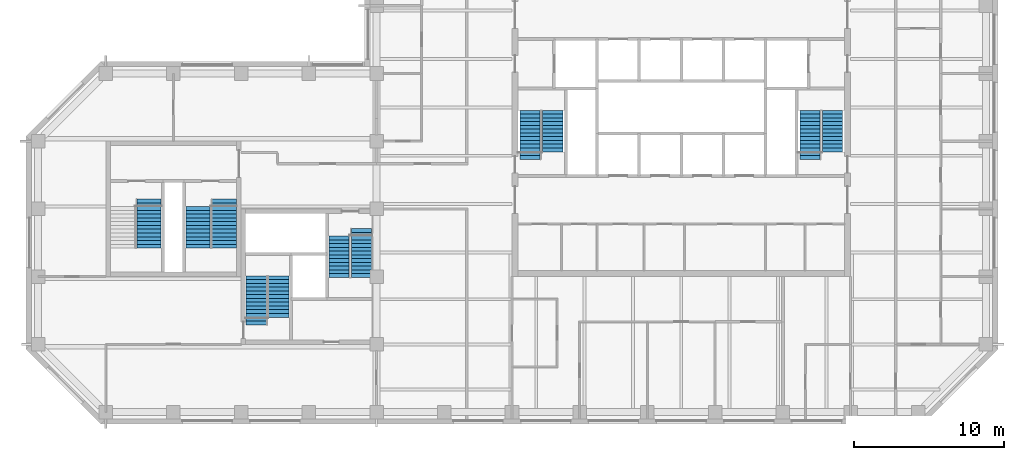
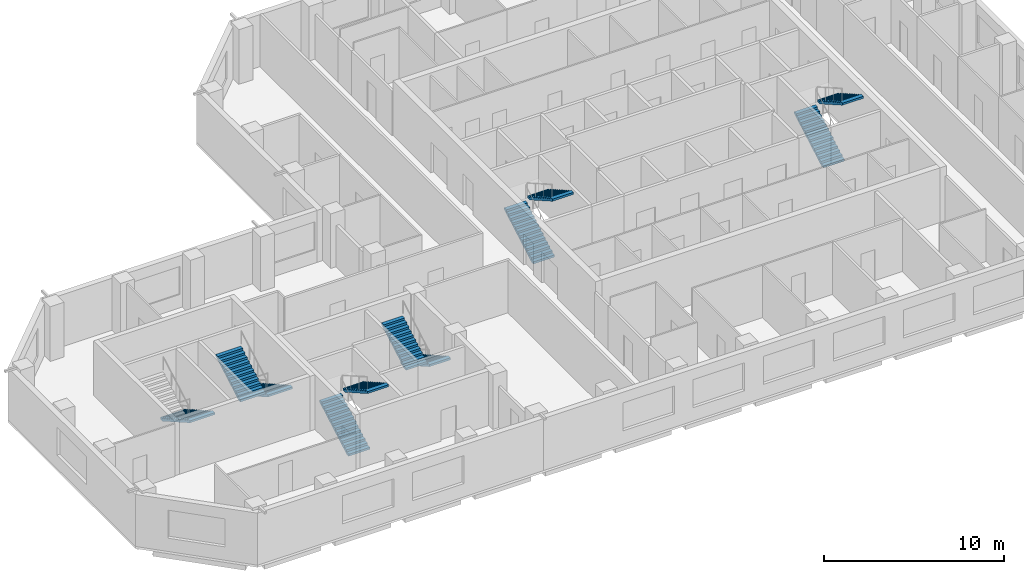
# One storey, part 9 of 10: 11 stair flights, 6 elements without a shape of their own.
"""IFC4 building model written with IfcOpenShell, lengths in metres."""

from ifc_helpers import new_model, si_unit, direction, frame, origin, place, context, subcontext, project, spatial, polyline, outline, extrude, material, type_object, element, aggregate, save


model = new_model("IFC4")

# Units and contexts
model_context = context("Model", 3, precision=1e-05, world=origin(), true_north=direction((0.0, 1.0)))
body_context = subcontext(model_context, "Body", "Model", "MODEL_VIEW")
ifc_project = project(units=[si_unit("LENGTHUNIT", "METRE"), si_unit("AREAUNIT", "SQUARE_METRE"), si_unit("VOLUMEUNIT", "CUBIC_METRE"), si_unit("PLANEANGLEUNIT", "RADIAN"), si_unit("MASSUNIT", "GRAM", prefix="KILO")], contexts=[model_context])

# Site, building, storey
site_placement = place(None, origin())
site = spatial("IfcSite", under=ifc_project, at=site_placement, CompositionType="ELEMENT")
building_placement = place(site_placement, origin())
building = spatial("IfcBuilding", under=site, at=building_placement, Name="Quoin Convention Tower", CompositionType="ELEMENT")
storey_placement = place(building_placement, frame((0.0, 0.0, 184.699951171875)))
storey = spatial("IfcBuildingStorey", under=building, at=storey_placement, Name="L48", CompositionType="ELEMENT", Elevation=184.699951171875)

# Stair, stair flights
ifc_material = material(Name="Concrete C40", Category="concrete")
stair_type_1 = type_object("IfcStairType", Name="Exit stair two-flight 1350", PredefinedType="HALF_TURN_STAIR", material=ifc_material)
stair_1_placement = place(storey_placement, origin())
stair_1 = element("IfcStair", 1, at=stair_1_placement, inside=storey, type_object=stair_type_1, Name="SD1 L48", PredefinedType="HALF_TURN_STAIR")
stair_flight_type_1 = type_object("IfcStairFlightType", Name="Stair flight 1350", PredefinedType="STRAIGHT", material=ifc_material)
stair_flight_1_placement = place(storey_placement, frame((46.199951171875, 57.300048828125, 0.0), z_axis=(0.0, 0.0, 1.0), x_axis=(0.0, 1.0, 0.0)))
stair_flight_1 = element("IfcStairFlight", 2, at=stair_flight_1_placement, type_object=stair_flight_type_1, Name="ST1 flight 1", NumberOfRisers=14, NumberOfTreads=13, PredefinedType="STRAIGHT", RiserHeight=0.142307692, TreadLength=0.25, context=body_context, shape_type="SweptSolid", body=[
    extrude(outline(polyline([(0.0, 0.0), (0.0, 0.142333984375), (0.25, 0.142333984375), (0.25, 0.28466796875), (0.5, 0.28466796875), (0.5, 0.427001953125), (0.75, 0.427001953125), (0.75, 0.5693359375), (1.0, 0.5693359375), (1.0, 0.71142578125), (1.25, 0.71142578125), (1.25, 0.853759765625), (1.5, 0.853759765625), (1.5, 0.99609375), (1.75, 0.99609375), (1.75, 1.138427734375), (2.0, 1.138427734375), (2.0, 1.28076171875), (2.25, 1.28076171875), (2.25, 1.423095703125), (2.5, 1.423095703125), (2.5, 1.5654296875), (2.75, 1.5654296875), (2.75, 1.707763671875), (3.0, 1.707763671875), (3.0, 1.85009765625), (3.25, 1.85009765625), (3.25, 1.9921875), (3.25, 1.711669921875), (0.242919921875, 0.0), (0.0, 0.0)])), frame((0.0, 0.675048828125, 0.0), z_axis=(0.0, -1.0, 0.0), x_axis=(1.0, 0.0, 0.0)), (0.0, 0.0, 1.0), 1.35009765625),
])
stair_flight_2_placement = place(storey_placement, frame((47.699951171875, 60.550048828125, 1.992431640625), z_axis=(0.0, 0.0, 1.0), x_axis=(0.0, -1.0, 0.0)))
stair_flight_2 = element("IfcStairFlight", 3, at=stair_flight_2_placement, type_object=stair_flight_type_1, Name="ST1 flight 2", NumberOfRisers=12, NumberOfTreads=11, PredefinedType="STRAIGHT", RiserHeight=0.142307692, TreadLength=0.25, context=body_context, shape_type="SweptSolid", body=[
    extrude(outline(polyline([(0.0, 0.0), (0.0, 0.142333984375), (0.25, 0.142333984375), (0.25, 0.28466796875), (0.5, 0.28466796875), (0.5, 0.427001953125), (0.75, 0.427001953125), (0.75, 0.5693359375), (1.0, 0.5693359375), (1.0, 0.71142578125), (1.25, 0.71142578125), (1.25, 0.853759765625), (1.5, 0.853759765625), (1.5, 0.99609375), (1.75, 0.99609375), (1.75, 1.138427734375), (2.0, 1.138427734375), (2.0, 1.28076171875), (2.25, 1.28076171875), (2.25, 1.423095703125), (2.5, 1.423095703125), (2.5, 1.5654296875), (2.75, 1.5654296875), (2.75, 1.707763671875), (2.75, 1.42724609375), (0.242919921875, 0.0), (0.0, 0.0)])), frame((0.0, 0.675048828125, 0.0), z_axis=(0.0, -1.0, 0.0), x_axis=(1.0, 0.0, 0.0)), (0.0, 0.0, 1.0), 1.35009765625),
])
aggregate(stair_1, [stair_flight_1, stair_flight_2])

stair_2_placement = place(storey_placement, origin())
stair_2 = element("IfcStair", 4, at=stair_2_placement, inside=storey, type_object=stair_type_1, Name="SD2 L48", PredefinedType="HALF_TURN_STAIR")
stair_flight_3_placement = place(storey_placement, frame((64.800048828125, 57.300048828125, 0.0), z_axis=(0.0, 0.0, 1.0), x_axis=(0.0, 1.0, 0.0)))
stair_flight_3 = element("IfcStairFlight", 5, at=stair_flight_3_placement, type_object=stair_flight_type_1, Name="ST2 flight 1", NumberOfRisers=14, NumberOfTreads=13, PredefinedType="STRAIGHT", RiserHeight=0.142307692, TreadLength=0.25, context=body_context, shape_type="SweptSolid", body=[
    extrude(outline(polyline([(0.0, 0.0), (0.0, 0.142333984375), (0.25, 0.142333984375), (0.25, 0.28466796875), (0.5, 0.28466796875), (0.5, 0.427001953125), (0.75, 0.427001953125), (0.75, 0.5693359375), (1.0, 0.5693359375), (1.0, 0.71142578125), (1.25, 0.71142578125), (1.25, 0.853759765625), (1.5, 0.853759765625), (1.5, 0.99609375), (1.75, 0.99609375), (1.75, 1.138427734375), (2.0, 1.138427734375), (2.0, 1.28076171875), (2.25, 1.28076171875), (2.25, 1.423095703125), (2.5, 1.423095703125), (2.5, 1.5654296875), (2.75, 1.5654296875), (2.75, 1.707763671875), (3.0, 1.707763671875), (3.0, 1.85009765625), (3.25, 1.85009765625), (3.25, 1.9921875), (3.25, 1.711669921875), (0.242919921875, 0.0), (0.0, 0.0)])), frame((0.0, 0.675048828125, 0.0), z_axis=(0.0, -1.0, 0.0), x_axis=(1.0, 0.0, 0.0)), (0.0, 0.0, 1.0), 1.35009765625),
])
stair_flight_4_placement = place(storey_placement, frame((66.300048828125, 60.550048828125, 1.992431640625), z_axis=(0.0, 0.0, 1.0), x_axis=(0.0, -1.0, 0.0)))
stair_flight_4 = element("IfcStairFlight", 6, at=stair_flight_4_placement, type_object=stair_flight_type_1, Name="ST2 flight 2", NumberOfRisers=12, NumberOfTreads=11, PredefinedType="STRAIGHT", RiserHeight=0.142307692, TreadLength=0.25, context=body_context, shape_type="SweptSolid", body=[
    extrude(outline(polyline([(0.0, 0.0), (0.0, 0.142333984375), (0.25, 0.142333984375), (0.25, 0.28466796875), (0.5, 0.28466796875), (0.5, 0.427001953125), (0.75, 0.427001953125), (0.75, 0.5693359375), (1.0, 0.5693359375), (1.0, 0.71142578125), (1.25, 0.71142578125), (1.25, 0.853759765625), (1.5, 0.853759765625), (1.5, 0.99609375), (1.75, 0.99609375), (1.75, 1.138427734375), (2.0, 1.138427734375), (2.0, 1.28076171875), (2.25, 1.28076171875), (2.25, 1.423095703125), (2.5, 1.423095703125), (2.5, 1.5654296875), (2.75, 1.5654296875), (2.75, 1.707763671875), (2.75, 1.42724609375), (0.242919921875, 0.0), (0.0, 0.0)])), frame((0.0, 0.675048828125, 0.0), z_axis=(0.0, -1.0, 0.0), x_axis=(1.0, 0.0, 0.0)), (0.0, 0.0, 1.0), 1.35009765625),
])
aggregate(stair_2, [stair_flight_3, stair_flight_4])

stair_3_placement = place(storey_placement, origin())
stair_3 = element("IfcStair", 7, at=stair_3_placement, inside=storey, type_object=stair_type_1, Name="SD3 L48", PredefinedType="HALF_TURN_STAIR")
stair_flight_5_placement = place(storey_placement, frame((28.0, 46.300048828125, 0.0), z_axis=(0.0, 0.0, 1.0), x_axis=(0.0, 1.0, 0.0)))
stair_flight_5 = element("IfcStairFlight", 8, at=stair_flight_5_placement, type_object=stair_flight_type_1, Name="ST3 flight 1", NumberOfRisers=14, NumberOfTreads=13, PredefinedType="STRAIGHT", RiserHeight=0.142307692, TreadLength=0.25, context=body_context, shape_type="SweptSolid", body=[
    extrude(outline(polyline([(0.0, 0.0), (0.0, 0.142333984375), (0.25, 0.142333984375), (0.25, 0.28466796875), (0.5, 0.28466796875), (0.5, 0.427001953125), (0.75, 0.427001953125), (0.75, 0.5693359375), (1.0, 0.5693359375), (1.0, 0.71142578125), (1.25, 0.71142578125), (1.25, 0.853759765625), (1.5, 0.853759765625), (1.5, 0.99609375), (1.75, 0.99609375), (1.75, 1.138427734375), (2.0, 1.138427734375), (2.0, 1.28076171875), (2.25, 1.28076171875), (2.25, 1.423095703125), (2.5, 1.423095703125), (2.5, 1.5654296875), (2.75, 1.5654296875), (2.75, 1.707763671875), (3.0, 1.707763671875), (3.0, 1.85009765625), (3.25, 1.85009765625), (3.25, 1.9921875), (3.25, 1.711669921875), (0.242919921875, 0.0), (0.0, 0.0)])), frame((0.0, 0.675048828125, 0.0), z_axis=(0.0, -1.0, 0.0), x_axis=(1.0, 0.0, 0.0)), (0.0, 0.0, 1.0), 1.35009765625),
])
stair_flight_6_placement = place(storey_placement, frame((29.5, 49.550048828125, 1.992431640625), z_axis=(0.0, 0.0, 1.0), x_axis=(0.0, -1.0, 0.0)))
stair_flight_6 = element("IfcStairFlight", 9, at=stair_flight_6_placement, type_object=stair_flight_type_1, Name="ST3 flight 2", NumberOfRisers=12, NumberOfTreads=11, PredefinedType="STRAIGHT", RiserHeight=0.142307692, TreadLength=0.25, context=body_context, shape_type="SweptSolid", body=[
    extrude(outline(polyline([(0.0, 0.0), (0.0, 0.142333984375), (0.25, 0.142333984375), (0.25, 0.28466796875), (0.5, 0.28466796875), (0.5, 0.427001953125), (0.75, 0.427001953125), (0.75, 0.5693359375), (1.0, 0.5693359375), (1.0, 0.71142578125), (1.25, 0.71142578125), (1.25, 0.853759765625), (1.5, 0.853759765625), (1.5, 0.99609375), (1.75, 0.99609375), (1.75, 1.138427734375), (2.0, 1.138427734375), (2.0, 1.28076171875), (2.25, 1.28076171875), (2.25, 1.423095703125), (2.5, 1.423095703125), (2.5, 1.5654296875), (2.75, 1.5654296875), (2.75, 1.707763671875), (2.75, 1.42724609375), (0.242919921875, 0.0), (0.0, 0.0)])), frame((0.0, 0.675048828125, 0.0), z_axis=(0.0, -1.0, 0.0), x_axis=(1.0, 0.0, 0.0)), (0.0, 0.0, 1.0), 1.35009765625),
])
aggregate(stair_3, [stair_flight_5, stair_flight_6])

stair_4_placement = place(storey_placement, origin())
stair_4 = element("IfcStair", 10, at=stair_4_placement, inside=storey, type_object=stair_type_1, Name="SD4 L48", PredefinedType="HALF_TURN_STAIR")
stair_flight_7_placement = place(storey_placement, frame((35.0, 52.699951171875, 0.0), z_axis=(0.0, 0.0, 1.0), x_axis=(0.0, -1.0, 0.0)))
stair_flight_7 = element("IfcStairFlight", 11, at=stair_flight_7_placement, type_object=stair_flight_type_1, Name="ST4 flight 1", NumberOfRisers=14, NumberOfTreads=13, PredefinedType="STRAIGHT", RiserHeight=0.142307692, TreadLength=0.25, context=body_context, shape_type="SweptSolid", body=[
    extrude(outline(polyline([(0.0, 0.0), (0.0, 0.142333984375), (0.25, 0.142333984375), (0.25, 0.28466796875), (0.5, 0.28466796875), (0.5, 0.427001953125), (0.75, 0.427001953125), (0.75, 0.5693359375), (1.0, 0.5693359375), (1.0, 0.71142578125), (1.25, 0.71142578125), (1.25, 0.853759765625), (1.5, 0.853759765625), (1.5, 0.99609375), (1.75, 0.99609375), (1.75, 1.138427734375), (2.0, 1.138427734375), (2.0, 1.28076171875), (2.25, 1.28076171875), (2.25, 1.423095703125), (2.5, 1.423095703125), (2.5, 1.5654296875), (2.75, 1.5654296875), (2.75, 1.707763671875), (3.0, 1.707763671875), (3.0, 1.85009765625), (3.25, 1.85009765625), (3.25, 1.9921875), (3.25, 1.711669921875), (0.242919921875, 0.0), (0.0, 0.0)])), frame((0.0, 0.675048828125, 0.0), z_axis=(0.0, -1.0, 0.0), x_axis=(1.0, 0.0, 0.0)), (0.0, 0.0, 1.0), 1.35009765625),
])
stair_flight_8_placement = place(storey_placement, frame((33.5, 49.449951171875, 1.992431640625), z_axis=(0.0, 0.0, 1.0), x_axis=(0.0, 1.0, 0.0)))
stair_flight_8 = element("IfcStairFlight", 12, at=stair_flight_8_placement, type_object=stair_flight_type_1, Name="ST4 flight 2", NumberOfRisers=12, NumberOfTreads=11, PredefinedType="STRAIGHT", RiserHeight=0.142307692, TreadLength=0.25, context=body_context, shape_type="SweptSolid", body=[
    extrude(outline(polyline([(0.0, 0.0), (0.0, 0.142333984375), (0.25, 0.142333984375), (0.25, 0.28466796875), (0.5, 0.28466796875), (0.5, 0.427001953125), (0.75, 0.427001953125), (0.75, 0.5693359375), (1.0, 0.5693359375), (1.0, 0.71142578125), (1.25, 0.71142578125), (1.25, 0.853759765625), (1.5, 0.853759765625), (1.5, 0.99609375), (1.75, 0.99609375), (1.75, 1.138427734375), (2.0, 1.138427734375), (2.0, 1.28076171875), (2.25, 1.28076171875), (2.25, 1.423095703125), (2.5, 1.423095703125), (2.5, 1.5654296875), (2.75, 1.5654296875), (2.75, 1.707763671875), (2.75, 1.42724609375), (0.242919921875, 0.0), (0.0, 0.0)])), frame((0.0, 0.675048828125, 0.0), z_axis=(0.0, -1.0, 0.0), x_axis=(1.0, 0.0, 0.0)), (0.0, 0.0, 1.0), 1.35009765625),
])
aggregate(stair_4, [stair_flight_7, stair_flight_8])

# Stair, stair flight
stair_type_2 = type_object("IfcStairType", Name="Exit stair two-flight 1600", PredefinedType="HALF_TURN_STAIR", material=ifc_material)
stair_5_placement = place(storey_placement, origin())
stair_5 = element("IfcStair", 13, at=stair_5_placement, inside=storey, type_object=stair_type_2, Name="SD11 L48", PredefinedType="HALF_TURN_STAIR")
stair_flight_type_2 = type_object("IfcStairFlightType", Name="Stair flight 1600", PredefinedType="STRAIGHT", material=ifc_material)
stair_flight_9_placement = place(storey_placement, frame((20.875, 54.64990234375, 0.0), z_axis=(0.0, 0.0, 1.0), x_axis=(0.0, -1.0, 0.0)))
stair_flight_9 = element("IfcStairFlight", 14, at=stair_flight_9_placement, type_object=stair_flight_type_2, Name="ST11 flight 1", NumberOfRisers=14, NumberOfTreads=13, PredefinedType="STRAIGHT", RiserHeight=0.142307692, TreadLength=0.25, context=body_context, shape_type="SweptSolid", body=[
    extrude(outline(polyline([(0.0, 0.0), (0.0, 0.142333984375), (0.25, 0.142333984375), (0.25, 0.28466796875), (0.5, 0.28466796875), (0.5, 0.427001953125), (0.75, 0.427001953125), (0.75, 0.5693359375), (1.0, 0.5693359375), (1.0, 0.71142578125), (1.25, 0.71142578125), (1.25, 0.853759765625), (1.5, 0.853759765625), (1.5, 0.99609375), (1.75, 0.99609375), (1.75, 1.138427734375), (2.0, 1.138427734375), (2.0, 1.28076171875), (2.25, 1.28076171875), (2.25, 1.423095703125), (2.5, 1.423095703125), (2.5, 1.5654296875), (2.75, 1.5654296875), (2.75, 1.707763671875), (3.0, 1.707763671875), (3.0, 1.85009765625), (3.25, 1.85009765625), (3.25, 1.9921875), (3.25, 1.711669921875), (0.242919921875, 0.0), (0.0, 0.0)])), frame((0.0, 0.800048828125, 0.0), z_axis=(0.0, -1.0, 0.0), x_axis=(1.0, 0.0, 0.0)), (0.0, 0.0, 1.0), 1.60009765625),
])
aggregate(stair_5, [stair_flight_9])

# Stair, stair flights
stair_6_placement = place(storey_placement, origin())
stair_6 = element("IfcStair", 15, at=stair_6_placement, inside=storey, type_object=stair_type_2, Name="SD12 L48", PredefinedType="HALF_TURN_STAIR")
stair_flight_10_placement = place(storey_placement, frame((25.875, 54.64990234375, 0.0), z_axis=(0.0, 0.0, 1.0), x_axis=(0.0, -1.0, 0.0)))
stair_flight_10 = element("IfcStairFlight", 16, at=stair_flight_10_placement, type_object=stair_flight_type_2, Name="ST12 flight 1", NumberOfRisers=14, NumberOfTreads=13, PredefinedType="STRAIGHT", RiserHeight=0.142307692, TreadLength=0.25, context=body_context, shape_type="SweptSolid", body=[
    extrude(outline(polyline([(0.0, 0.0), (0.0, 0.142333984375), (0.25, 0.142333984375), (0.25, 0.28466796875), (0.5, 0.28466796875), (0.5, 0.427001953125), (0.75, 0.427001953125), (0.75, 0.5693359375), (1.0, 0.5693359375), (1.0, 0.71142578125), (1.25, 0.71142578125), (1.25, 0.853759765625), (1.5, 0.853759765625), (1.5, 0.99609375), (1.75, 0.99609375), (1.75, 1.138427734375), (2.0, 1.138427734375), (2.0, 1.28076171875), (2.25, 1.28076171875), (2.25, 1.423095703125), (2.5, 1.423095703125), (2.5, 1.5654296875), (2.75, 1.5654296875), (2.75, 1.707763671875), (3.0, 1.707763671875), (3.0, 1.85009765625), (3.25, 1.85009765625), (3.25, 1.9921875), (3.25, 1.711669921875), (0.242919921875, 0.0), (0.0, 0.0)])), frame((0.0, 0.800048828125, 0.0), z_axis=(0.0, -1.0, 0.0), x_axis=(1.0, 0.0, 0.0)), (0.0, 0.0, 1.0), 1.60009765625),
])
stair_flight_11_placement = place(storey_placement, frame((24.125, 51.39990234375, 1.992431640625), z_axis=(0.0, 0.0, 1.0), x_axis=(0.0, 1.0, 0.0)))
stair_flight_11 = element("IfcStairFlight", 17, at=stair_flight_11_placement, type_object=stair_flight_type_2, Name="ST12 flight 2", NumberOfRisers=12, NumberOfTreads=11, PredefinedType="STRAIGHT", RiserHeight=0.142307692, TreadLength=0.25, context=body_context, shape_type="SweptSolid", body=[
    extrude(outline(polyline([(0.0, 0.0), (0.0, 0.142333984375), (0.25, 0.142333984375), (0.25, 0.28466796875), (0.5, 0.28466796875), (0.5, 0.427001953125), (0.75, 0.427001953125), (0.75, 0.5693359375), (1.0, 0.5693359375), (1.0, 0.71142578125), (1.25, 0.71142578125), (1.25, 0.853759765625), (1.5, 0.853759765625), (1.5, 0.99609375), (1.75, 0.99609375), (1.75, 1.138427734375), (2.0, 1.138427734375), (2.0, 1.28076171875), (2.25, 1.28076171875), (2.25, 1.423095703125), (2.5, 1.423095703125), (2.5, 1.5654296875), (2.75, 1.5654296875), (2.75, 1.707763671875), (2.75, 1.42724609375), (0.242919921875, 0.0), (0.0, 0.0)])), frame((0.0, 0.800048828125, 0.0), z_axis=(0.0, -1.0, 0.0), x_axis=(1.0, 0.0, 0.0)), (0.0, 0.0, 1.0), 1.60009765625),
])
aggregate(stair_6, [stair_flight_10, stair_flight_11])

save(model, "model.ifc")
